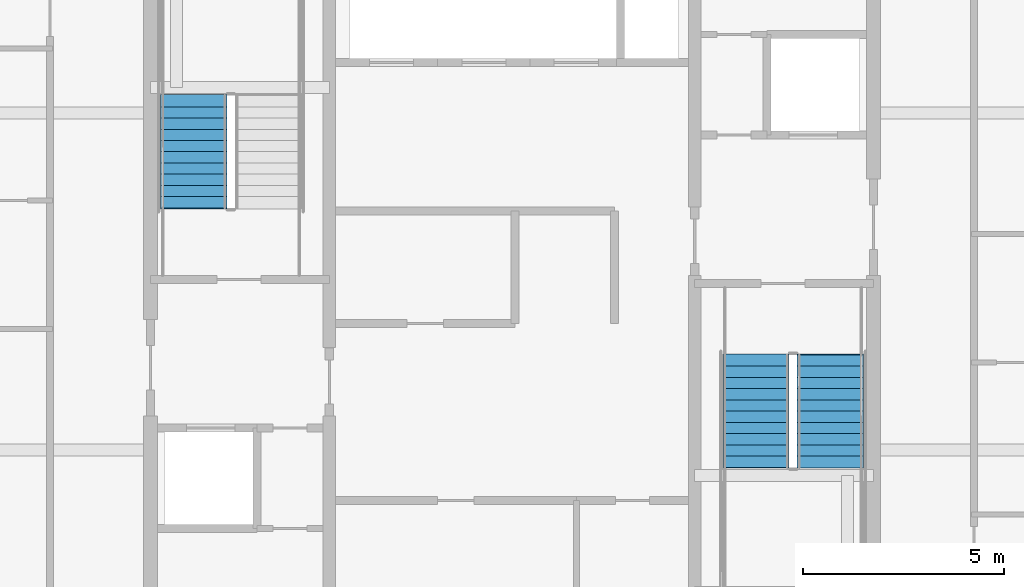
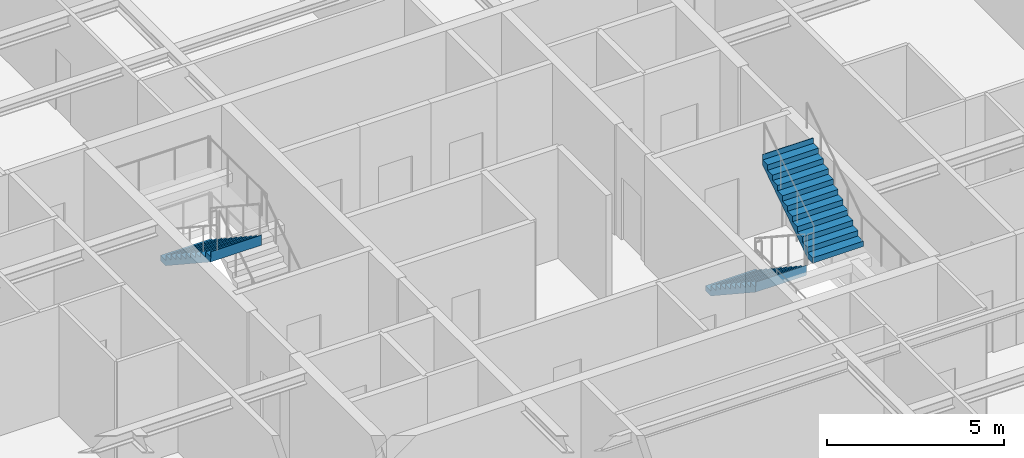
# One storey, part 36 of 42: 3 stair flights, 2 elements without a shape of their own.
"""IFC4 building model written with IfcOpenShell, lengths in metres."""

from ifc_helpers import new_model, si_unit, direction, frame, origin, place, context, subcontext, project, spatial, polygons, material, type_object, element, aggregate, save


model = new_model("IFC4")

# Units and contexts
model_context = context("Model", 3, precision=1e-05, world=origin(), true_north=direction((0.0, 1.0)))
body_context = subcontext(model_context, "Body", "Model", "MODEL_VIEW")
ifc_project = project(units=[si_unit("LENGTHUNIT", "METRE"), si_unit("AREAUNIT", "SQUARE_METRE"), si_unit("VOLUMEUNIT", "CUBIC_METRE"), si_unit("PLANEANGLEUNIT", "RADIAN"), si_unit("MASSUNIT", "GRAM", prefix="KILO")], contexts=[model_context])

# Site, building, storey
site_placement = place(None, origin())
site = spatial("IfcSite", under=ifc_project, at=site_placement, CompositionType="ELEMENT")
building_placement = place(site_placement, origin())
building = spatial("IfcBuilding", under=site, at=building_placement, Name="Serunith Strait Residences", CompositionType="ELEMENT")
storey_placement = place(building_placement, frame((0.0, 0.0, 293.449951171875)))
storey = spatial("IfcBuildingStorey", under=building, at=storey_placement, Name="L73", CompositionType="ELEMENT", Elevation=293.449951171875)

# Stair, stair flight
ifc_material = material(Name="Concrete C50/60", Category="concrete")
stair_type_1 = type_object("IfcStairType", Name="STR-CORE-1", PredefinedType="HALF_TURN_STAIR", material=ifc_material)
stair_1_placement = place(storey_placement, origin())
stair_1 = element("IfcStair", 1, at=stair_1_placement, inside=storey, type_object=stair_type_1, Name="L73 Protected Escape Stair ST-1", PredefinedType="HALF_TURN_STAIR")
stair_flight_type_1 = type_object("IfcStairFlightType", Name="FLT-CORE-1", PredefinedType="STRAIGHT", material=ifc_material)
stair_flight_1_placement = place(storey_placement, frame((24.47509765625, 29.830078125, 2.025146484375), z_axis=(0.0, 0.0, 1.0), x_axis=(0.0, -1.0, 0.0)))
stair_flight_1 = element("IfcStairFlight", 2, at=stair_flight_1_placement, type_object=stair_flight_type_1, Name="ST-1 flight 2", NumberOfRisers=11, NumberOfTreads=10, PredefinedType="STRAIGHT", RiserHeight=0.184090909, TreadLength=0.28, context=body_context, shape_type="Tessellation", body=[
    polygons([(-0.02001953125, -0.824951171875, 0.0), (-0.02001953125, -0.824951171875, 0.18408203125), (0.280029296875, -0.824951171875, 0.18408203125), (0.280029296875, -0.824951171875, 0.3681640625), (0.56005859375, -0.824951171875, 0.3681640625), (0.56005859375, -0.824951171875, 0.55224609375), (0.840087890625, -0.824951171875, 0.55224609375), (0.840087890625, -0.824951171875, 0.736328125), (1.1201171875, -0.824951171875, 0.736328125), (1.1201171875, -0.824951171875, 0.92041015625), (1.39990234375, -0.824951171875, 0.92041015625), (1.39990234375, -0.824951171875, 1.1044921875), (1.679931640625, -0.824951171875, 1.1044921875), (1.679931640625, -0.824951171875, 1.28857421875), (1.9599609375, -0.824951171875, 1.28857421875), (1.9599609375, -0.824951171875, 1.47265625), (2.239990234375, -0.824951171875, 1.47265625), (2.239990234375, -0.824951171875, 1.65673828125), (2.52001953125, -0.824951171875, 1.65673828125), (2.52001953125, -0.824951171875, 1.8408203125), (2.800048828125, -0.824951171875, 1.8408203125), (2.800048828125, -0.824951171875, 2.02490234375), (2.820068359375, -0.824951171875, 2.02490234375), (2.820068359375, -0.824951171875, 1.965087890625), (2.800048828125, -0.824951171875, 1.66162109375), (0.27294921875, -0.824951171875, 0.0), (-0.02001953125, -0.41259765625, 0.0), (-0.02001953125, -0.41259765625, 0.18408203125), (0.280029296875, -0.41259765625, 0.18408203125), (0.280029296875, -0.41259765625, 0.3681640625), (0.56005859375, -0.41259765625, 0.3681640625), (0.56005859375, -0.41259765625, 0.55224609375), (0.840087890625, -0.41259765625, 0.55224609375), (0.840087890625, -0.41259765625, 0.736328125), (1.1201171875, -0.41259765625, 0.736328125), (1.1201171875, -0.41259765625, 0.92041015625), (1.39990234375, -0.41259765625, 0.92041015625), (1.39990234375, -0.41259765625, 1.1044921875), (1.679931640625, -0.41259765625, 1.1044921875), (1.679931640625, -0.41259765625, 1.28857421875), (1.9599609375, -0.41259765625, 1.28857421875), (1.9599609375, -0.41259765625, 1.47265625), (2.239990234375, -0.41259765625, 1.47265625), (2.239990234375, -0.41259765625, 1.65673828125), (2.52001953125, -0.41259765625, 1.65673828125), (2.52001953125, -0.41259765625, 1.8408203125), (2.800048828125, -0.41259765625, 1.8408203125), (2.800048828125, -0.41259765625, 2.02490234375), (2.820068359375, -0.41259765625, 2.02490234375), (2.820068359375, -0.41259765625, 1.965087890625), (2.800048828125, -0.41259765625, 1.66162109375), (0.27294921875, -0.41259765625, 0.0), (-0.02001953125, 0.0, 0.0), (-0.02001953125, 0.0, 0.18408203125), (0.280029296875, 0.0, 0.18408203125), (0.280029296875, 0.0, 0.3681640625), (0.56005859375, 0.0, 0.3681640625), (0.56005859375, 0.0, 0.55224609375), (0.840087890625, 0.0, 0.55224609375), (0.840087890625, 0.0, 0.736328125), (1.1201171875, 0.0, 0.736328125), (1.1201171875, 0.0, 0.92041015625), (1.39990234375, 0.0, 0.92041015625), (1.39990234375, 0.0, 1.1044921875), (1.679931640625, 0.0, 1.1044921875), (1.679931640625, 0.0, 1.28857421875), (1.9599609375, 0.0, 1.28857421875), (1.9599609375, 0.0, 1.47265625), (2.239990234375, 0.0, 1.47265625), (2.239990234375, 0.0, 1.65673828125), (2.52001953125, 0.0, 1.65673828125), (2.52001953125, 0.0, 1.8408203125), (2.800048828125, 0.0, 1.8408203125), (2.800048828125, 0.0, 2.02490234375), (2.820068359375, 0.0, 2.02490234375), (2.820068359375, 0.0, 1.965087890625), (2.800048828125, 0.0, 1.66162109375), (0.27294921875, 0.0, 0.0), (-0.02001953125, 0.41259765625, 0.0), (-0.02001953125, 0.41259765625, 0.18408203125), (0.280029296875, 0.41259765625, 0.18408203125), (0.280029296875, 0.41259765625, 0.3681640625), (0.56005859375, 0.41259765625, 0.3681640625), (0.56005859375, 0.41259765625, 0.55224609375), (0.840087890625, 0.41259765625, 0.55224609375), (0.840087890625, 0.41259765625, 0.736328125), (1.1201171875, 0.41259765625, 0.736328125), (1.1201171875, 0.41259765625, 0.92041015625), (1.39990234375, 0.41259765625, 0.92041015625), (1.39990234375, 0.41259765625, 1.1044921875), (1.679931640625, 0.41259765625, 1.1044921875), (1.679931640625, 0.41259765625, 1.28857421875), (1.9599609375, 0.41259765625, 1.28857421875), (1.9599609375, 0.41259765625, 1.47265625), (2.239990234375, 0.41259765625, 1.47265625), (2.239990234375, 0.41259765625, 1.65673828125), (2.52001953125, 0.41259765625, 1.65673828125), (2.52001953125, 0.41259765625, 1.8408203125), (2.800048828125, 0.41259765625, 1.8408203125), (2.800048828125, 0.41259765625, 2.02490234375), (2.820068359375, 0.41259765625, 2.02490234375), (2.820068359375, 0.41259765625, 1.965087890625), (2.800048828125, 0.41259765625, 1.66162109375), (0.27294921875, 0.41259765625, 0.0), (-0.02001953125, 0.824951171875, 0.0), (-0.02001953125, 0.824951171875, 0.18408203125), (0.280029296875, 0.824951171875, 0.18408203125), (0.280029296875, 0.824951171875, 0.3681640625), (0.56005859375, 0.824951171875, 0.3681640625), (0.56005859375, 0.824951171875, 0.55224609375), (0.840087890625, 0.824951171875, 0.55224609375), (0.840087890625, 0.824951171875, 0.736328125), (1.1201171875, 0.824951171875, 0.736328125), (1.1201171875, 0.824951171875, 0.92041015625), (1.39990234375, 0.824951171875, 0.92041015625), (1.39990234375, 0.824951171875, 1.1044921875), (1.679931640625, 0.824951171875, 1.1044921875), (1.679931640625, 0.824951171875, 1.28857421875), (1.9599609375, 0.824951171875, 1.28857421875), (1.9599609375, 0.824951171875, 1.47265625), (2.239990234375, 0.824951171875, 1.47265625), (2.239990234375, 0.824951171875, 1.65673828125), (2.52001953125, 0.824951171875, 1.65673828125), (2.52001953125, 0.824951171875, 1.8408203125), (2.800048828125, 0.824951171875, 1.8408203125), (2.800048828125, 0.824951171875, 2.02490234375), (2.820068359375, 0.824951171875, 2.02490234375), (2.820068359375, 0.824951171875, 1.965087890625), (2.800048828125, 0.824951171875, 1.66162109375), (0.27294921875, 0.824951171875, 0.0)], [[[1, 2, 28, 27]], [[2, 3, 29, 28]], [[3, 4, 30, 29]], [[4, 5, 31, 30]], [[5, 6, 32, 31]], [[6, 7, 33, 32]], [[7, 8, 34, 33]], [[8, 9, 35, 34]], [[9, 10, 36, 35]], [[10, 11, 37, 36]], [[11, 12, 38, 37]], [[12, 13, 39, 38]], [[13, 14, 40, 39]], [[14, 15, 41, 40]], [[15, 16, 42, 41]], [[16, 17, 43, 42]], [[17, 18, 44, 43]], [[18, 19, 45, 44]], [[19, 20, 46, 45]], [[20, 21, 47, 46]], [[21, 22, 48, 47]], [[22, 23, 49, 48]], [[23, 24, 50, 49]], [[24, 25, 51, 50]], [[25, 26, 52, 51]], [[26, 1, 27, 52]], [[27, 28, 54, 53]], [[28, 29, 55, 54]], [[29, 30, 56, 55]], [[30, 31, 57, 56]], [[31, 32, 58, 57]], [[32, 33, 59, 58]], [[33, 34, 60, 59]], [[34, 35, 61, 60]], [[35, 36, 62, 61]], [[36, 37, 63, 62]], [[37, 38, 64, 63]], [[38, 39, 65, 64]], [[39, 40, 66, 65]], [[40, 41, 67, 66]], [[41, 42, 68, 67]], [[42, 43, 69, 68]], [[43, 44, 70, 69]], [[44, 45, 71, 70]], [[45, 46, 72, 71]], [[46, 47, 73, 72]], [[47, 48, 74, 73]], [[48, 49, 75, 74]], [[49, 50, 76, 75]], [[50, 51, 77, 76]], [[51, 52, 78, 77]], [[52, 27, 53, 78]], [[53, 54, 80, 79]], [[54, 55, 81, 80]], [[55, 56, 82, 81]], [[56, 57, 83, 82]], [[57, 58, 84, 83]], [[58, 59, 85, 84]], [[59, 60, 86, 85]], [[60, 61, 87, 86]], [[61, 62, 88, 87]], [[62, 63, 89, 88]], [[63, 64, 90, 89]], [[64, 65, 91, 90]], [[65, 66, 92, 91]], [[66, 67, 93, 92]], [[67, 68, 94, 93]], [[68, 69, 95, 94]], [[69, 70, 96, 95]], [[70, 71, 97, 96]], [[71, 72, 98, 97]], [[72, 73, 99, 98]], [[73, 74, 100, 99]], [[74, 75, 101, 100]], [[75, 76, 102, 101]], [[76, 77, 103, 102]], [[77, 78, 104, 103]], [[78, 53, 79, 104]], [[79, 80, 106, 105]], [[80, 81, 107, 106]], [[81, 82, 108, 107]], [[82, 83, 109, 108]], [[83, 84, 110, 109]], [[84, 85, 111, 110]], [[85, 86, 112, 111]], [[86, 87, 113, 112]], [[87, 88, 114, 113]], [[88, 89, 115, 114]], [[89, 90, 116, 115]], [[90, 91, 117, 116]], [[91, 92, 118, 117]], [[92, 93, 119, 118]], [[93, 94, 120, 119]], [[94, 95, 121, 120]], [[95, 96, 122, 121]], [[96, 97, 123, 122]], [[97, 98, 124, 123]], [[98, 99, 125, 124]], [[99, 100, 126, 125]], [[100, 101, 127, 126]], [[101, 102, 128, 127]], [[102, 103, 129, 128]], [[103, 104, 130, 129]], [[104, 79, 105, 130]], [[26, 25, 24, 23, 22, 21, 20, 19, 18, 17, 16, 15, 14, 13, 12, 11, 10, 9, 8, 7, 6, 5, 4, 3, 2, 1]], [[105, 106, 107, 108, 109, 110, 111, 112, 113, 114, 115, 116, 117, 118, 119, 120, 121, 122, 123, 124, 125, 126, 127, 128, 129, 130]]], closed=True),
])
aggregate(stair_1, [stair_flight_1])

# Stair, stair flights
stair_type_2 = type_object("IfcStairType", Name="STR-CORE-2", PredefinedType="HALF_TURN_STAIR", material=ifc_material)
stair_2_placement = place(storey_placement, origin())
stair_2 = element("IfcStair", 3, at=stair_2_placement, inside=storey, type_object=stair_type_2, Name="L73 Protected Escape Stair ST-2", PredefinedType="HALF_TURN_STAIR")
stair_flight_type_2 = type_object("IfcStairFlightType", Name="FLT-CORE-2", PredefinedType="STRAIGHT", material=ifc_material)
stair_flight_2_placement = place(storey_placement, frame((38.47509765625, 23.3701171875, 0.0), z_axis=(0.0, 0.0, 1.0), x_axis=(0.0, -1.0, 0.0)))
stair_flight_2 = element("IfcStairFlight", 4, at=stair_flight_2_placement, type_object=stair_flight_type_2, Name="ST-2 flight 1", NumberOfRisers=11, NumberOfTreads=10, PredefinedType="STRAIGHT", RiserHeight=0.184090909, TreadLength=0.28, context=body_context, shape_type="Tessellation", body=[
    polygons([(-0.02001953125, -0.824951171875, 0.0), (-0.02001953125, -0.824951171875, 0.18408203125), (0.280029296875, -0.824951171875, 0.18408203125), (0.280029296875, -0.824951171875, 0.3681640625), (0.56005859375, -0.824951171875, 0.3681640625), (0.56005859375, -0.824951171875, 0.55224609375), (0.840087890625, -0.824951171875, 0.55224609375), (0.840087890625, -0.824951171875, 0.736328125), (1.1201171875, -0.824951171875, 0.736328125), (1.1201171875, -0.824951171875, 0.92041015625), (1.39990234375, -0.824951171875, 0.92041015625), (1.39990234375, -0.824951171875, 1.1044921875), (1.679931640625, -0.824951171875, 1.1044921875), (1.679931640625, -0.824951171875, 1.28857421875), (1.9599609375, -0.824951171875, 1.28857421875), (1.9599609375, -0.824951171875, 1.47265625), (2.239990234375, -0.824951171875, 1.47265625), (2.239990234375, -0.824951171875, 1.65673828125), (2.52001953125, -0.824951171875, 1.65673828125), (2.52001953125, -0.824951171875, 1.8408203125), (2.800048828125, -0.824951171875, 1.8408203125), (2.800048828125, -0.824951171875, 2.02490234375), (2.820068359375, -0.824951171875, 2.02490234375), (2.820068359375, -0.824951171875, 1.965087890625), (2.800048828125, -0.824951171875, 1.66162109375), (0.27294921875, -0.824951171875, 0.0), (-0.02001953125, -0.41259765625, 0.0), (-0.02001953125, -0.41259765625, 0.18408203125), (0.280029296875, -0.41259765625, 0.18408203125), (0.280029296875, -0.41259765625, 0.3681640625), (0.56005859375, -0.41259765625, 0.3681640625), (0.56005859375, -0.41259765625, 0.55224609375), (0.840087890625, -0.41259765625, 0.55224609375), (0.840087890625, -0.41259765625, 0.736328125), (1.1201171875, -0.41259765625, 0.736328125), (1.1201171875, -0.41259765625, 0.92041015625), (1.39990234375, -0.41259765625, 0.92041015625), (1.39990234375, -0.41259765625, 1.1044921875), (1.679931640625, -0.41259765625, 1.1044921875), (1.679931640625, -0.41259765625, 1.28857421875), (1.9599609375, -0.41259765625, 1.28857421875), (1.9599609375, -0.41259765625, 1.47265625), (2.239990234375, -0.41259765625, 1.47265625), (2.239990234375, -0.41259765625, 1.65673828125), (2.52001953125, -0.41259765625, 1.65673828125), (2.52001953125, -0.41259765625, 1.8408203125), (2.800048828125, -0.41259765625, 1.8408203125), (2.800048828125, -0.41259765625, 2.02490234375), (2.820068359375, -0.41259765625, 2.02490234375), (2.820068359375, -0.41259765625, 1.965087890625), (2.800048828125, -0.41259765625, 1.66162109375), (0.27294921875, -0.41259765625, 0.0), (-0.02001953125, 0.0, 0.0), (-0.02001953125, 0.0, 0.18408203125), (0.280029296875, 0.0, 0.18408203125), (0.280029296875, 0.0, 0.3681640625), (0.56005859375, 0.0, 0.3681640625), (0.56005859375, 0.0, 0.55224609375), (0.840087890625, 0.0, 0.55224609375), (0.840087890625, 0.0, 0.736328125), (1.1201171875, 0.0, 0.736328125), (1.1201171875, 0.0, 0.92041015625), (1.39990234375, 0.0, 0.92041015625), (1.39990234375, 0.0, 1.1044921875), (1.679931640625, 0.0, 1.1044921875), (1.679931640625, 0.0, 1.28857421875), (1.9599609375, 0.0, 1.28857421875), (1.9599609375, 0.0, 1.47265625), (2.239990234375, 0.0, 1.47265625), (2.239990234375, 0.0, 1.65673828125), (2.52001953125, 0.0, 1.65673828125), (2.52001953125, 0.0, 1.8408203125), (2.800048828125, 0.0, 1.8408203125), (2.800048828125, 0.0, 2.02490234375), (2.820068359375, 0.0, 2.02490234375), (2.820068359375, 0.0, 1.965087890625), (2.800048828125, 0.0, 1.66162109375), (0.27294921875, 0.0, 0.0), (-0.02001953125, 0.41259765625, 0.0), (-0.02001953125, 0.41259765625, 0.18408203125), (0.280029296875, 0.41259765625, 0.18408203125), (0.280029296875, 0.41259765625, 0.3681640625), (0.56005859375, 0.41259765625, 0.3681640625), (0.56005859375, 0.41259765625, 0.55224609375), (0.840087890625, 0.41259765625, 0.55224609375), (0.840087890625, 0.41259765625, 0.736328125), (1.1201171875, 0.41259765625, 0.736328125), (1.1201171875, 0.41259765625, 0.92041015625), (1.39990234375, 0.41259765625, 0.92041015625), (1.39990234375, 0.41259765625, 1.1044921875), (1.679931640625, 0.41259765625, 1.1044921875), (1.679931640625, 0.41259765625, 1.28857421875), (1.9599609375, 0.41259765625, 1.28857421875), (1.9599609375, 0.41259765625, 1.47265625), (2.239990234375, 0.41259765625, 1.47265625), (2.239990234375, 0.41259765625, 1.65673828125), (2.52001953125, 0.41259765625, 1.65673828125), (2.52001953125, 0.41259765625, 1.8408203125), (2.800048828125, 0.41259765625, 1.8408203125), (2.800048828125, 0.41259765625, 2.02490234375), (2.820068359375, 0.41259765625, 2.02490234375), (2.820068359375, 0.41259765625, 1.965087890625), (2.800048828125, 0.41259765625, 1.66162109375), (0.27294921875, 0.41259765625, 0.0), (-0.02001953125, 0.824951171875, 0.0), (-0.02001953125, 0.824951171875, 0.18408203125), (0.280029296875, 0.824951171875, 0.18408203125), (0.280029296875, 0.824951171875, 0.3681640625), (0.56005859375, 0.824951171875, 0.3681640625), (0.56005859375, 0.824951171875, 0.55224609375), (0.840087890625, 0.824951171875, 0.55224609375), (0.840087890625, 0.824951171875, 0.736328125), (1.1201171875, 0.824951171875, 0.736328125), (1.1201171875, 0.824951171875, 0.92041015625), (1.39990234375, 0.824951171875, 0.92041015625), (1.39990234375, 0.824951171875, 1.1044921875), (1.679931640625, 0.824951171875, 1.1044921875), (1.679931640625, 0.824951171875, 1.28857421875), (1.9599609375, 0.824951171875, 1.28857421875), (1.9599609375, 0.824951171875, 1.47265625), (2.239990234375, 0.824951171875, 1.47265625), (2.239990234375, 0.824951171875, 1.65673828125), (2.52001953125, 0.824951171875, 1.65673828125), (2.52001953125, 0.824951171875, 1.8408203125), (2.800048828125, 0.824951171875, 1.8408203125), (2.800048828125, 0.824951171875, 2.02490234375), (2.820068359375, 0.824951171875, 2.02490234375), (2.820068359375, 0.824951171875, 1.965087890625), (2.800048828125, 0.824951171875, 1.66162109375), (0.27294921875, 0.824951171875, 0.0)], [[[1, 2, 28, 27]], [[2, 3, 29, 28]], [[3, 4, 30, 29]], [[4, 5, 31, 30]], [[5, 6, 32, 31]], [[6, 7, 33, 32]], [[7, 8, 34, 33]], [[8, 9, 35, 34]], [[9, 10, 36, 35]], [[10, 11, 37, 36]], [[11, 12, 38, 37]], [[12, 13, 39, 38]], [[13, 14, 40, 39]], [[14, 15, 41, 40]], [[15, 16, 42, 41]], [[16, 17, 43, 42]], [[17, 18, 44, 43]], [[18, 19, 45, 44]], [[19, 20, 46, 45]], [[20, 21, 47, 46]], [[21, 22, 48, 47]], [[22, 23, 49, 48]], [[23, 24, 50, 49]], [[24, 25, 51, 50]], [[25, 26, 52, 51]], [[26, 1, 27, 52]], [[27, 28, 54, 53]], [[28, 29, 55, 54]], [[29, 30, 56, 55]], [[30, 31, 57, 56]], [[31, 32, 58, 57]], [[32, 33, 59, 58]], [[33, 34, 60, 59]], [[34, 35, 61, 60]], [[35, 36, 62, 61]], [[36, 37, 63, 62]], [[37, 38, 64, 63]], [[38, 39, 65, 64]], [[39, 40, 66, 65]], [[40, 41, 67, 66]], [[41, 42, 68, 67]], [[42, 43, 69, 68]], [[43, 44, 70, 69]], [[44, 45, 71, 70]], [[45, 46, 72, 71]], [[46, 47, 73, 72]], [[47, 48, 74, 73]], [[48, 49, 75, 74]], [[49, 50, 76, 75]], [[50, 51, 77, 76]], [[51, 52, 78, 77]], [[52, 27, 53, 78]], [[53, 54, 80, 79]], [[54, 55, 81, 80]], [[55, 56, 82, 81]], [[56, 57, 83, 82]], [[57, 58, 84, 83]], [[58, 59, 85, 84]], [[59, 60, 86, 85]], [[60, 61, 87, 86]], [[61, 62, 88, 87]], [[62, 63, 89, 88]], [[63, 64, 90, 89]], [[64, 65, 91, 90]], [[65, 66, 92, 91]], [[66, 67, 93, 92]], [[67, 68, 94, 93]], [[68, 69, 95, 94]], [[69, 70, 96, 95]], [[70, 71, 97, 96]], [[71, 72, 98, 97]], [[72, 73, 99, 98]], [[73, 74, 100, 99]], [[74, 75, 101, 100]], [[75, 76, 102, 101]], [[76, 77, 103, 102]], [[77, 78, 104, 103]], [[78, 53, 79, 104]], [[79, 80, 106, 105]], [[80, 81, 107, 106]], [[81, 82, 108, 107]], [[82, 83, 109, 108]], [[83, 84, 110, 109]], [[84, 85, 111, 110]], [[85, 86, 112, 111]], [[86, 87, 113, 112]], [[87, 88, 114, 113]], [[88, 89, 115, 114]], [[89, 90, 116, 115]], [[90, 91, 117, 116]], [[91, 92, 118, 117]], [[92, 93, 119, 118]], [[93, 94, 120, 119]], [[94, 95, 121, 120]], [[95, 96, 122, 121]], [[96, 97, 123, 122]], [[97, 98, 124, 123]], [[98, 99, 125, 124]], [[99, 100, 126, 125]], [[100, 101, 127, 126]], [[101, 102, 128, 127]], [[102, 103, 129, 128]], [[103, 104, 130, 129]], [[104, 79, 105, 130]], [[26, 25, 24, 23, 22, 21, 20, 19, 18, 17, 16, 15, 14, 13, 12, 11, 10, 9, 8, 7, 6, 5, 4, 3, 2, 1]], [[105, 106, 107, 108, 109, 110, 111, 112, 113, 114, 115, 116, 117, 118, 119, 120, 121, 122, 123, 124, 125, 126, 127, 128, 129, 130]]], closed=True),
])
stair_flight_3_placement = place(storey_placement, frame((40.324951171875, 20.570068359375, 2.025146484375), z_axis=(0.0, 0.0, 1.0), x_axis=(0.0, 1.0, 0.0)))
stair_flight_3 = element("IfcStairFlight", 5, at=stair_flight_3_placement, type_object=stair_flight_type_2, Name="ST-2 flight 2", NumberOfRisers=11, NumberOfTreads=10, PredefinedType="STRAIGHT", RiserHeight=0.184090909, TreadLength=0.28, context=body_context, shape_type="Tessellation", body=[
    polygons([(-0.02001953125, -0.824951171875, 0.0), (-0.02001953125, -0.824951171875, 0.18408203125), (0.280029296875, -0.824951171875, 0.18408203125), (0.280029296875, -0.824951171875, 0.3681640625), (0.56005859375, -0.824951171875, 0.3681640625), (0.56005859375, -0.824951171875, 0.55224609375), (0.840087890625, -0.824951171875, 0.55224609375), (0.840087890625, -0.824951171875, 0.736328125), (1.1201171875, -0.824951171875, 0.736328125), (1.1201171875, -0.824951171875, 0.92041015625), (1.39990234375, -0.824951171875, 0.92041015625), (1.39990234375, -0.824951171875, 1.1044921875), (1.679931640625, -0.824951171875, 1.1044921875), (1.679931640625, -0.824951171875, 1.28857421875), (1.9599609375, -0.824951171875, 1.28857421875), (1.9599609375, -0.824951171875, 1.47265625), (2.239990234375, -0.824951171875, 1.47265625), (2.239990234375, -0.824951171875, 1.65673828125), (2.52001953125, -0.824951171875, 1.65673828125), (2.52001953125, -0.824951171875, 1.8408203125), (2.800048828125, -0.824951171875, 1.8408203125), (2.800048828125, -0.824951171875, 2.02490234375), (2.820068359375, -0.824951171875, 2.02490234375), (2.820068359375, -0.824951171875, 1.965087890625), (2.800048828125, -0.824951171875, 1.66162109375), (0.27294921875, -0.824951171875, 0.0), (-0.02001953125, -0.41259765625, 0.0), (-0.02001953125, -0.41259765625, 0.18408203125), (0.280029296875, -0.41259765625, 0.18408203125), (0.280029296875, -0.41259765625, 0.3681640625), (0.56005859375, -0.41259765625, 0.3681640625), (0.56005859375, -0.41259765625, 0.55224609375), (0.840087890625, -0.41259765625, 0.55224609375), (0.840087890625, -0.41259765625, 0.736328125), (1.1201171875, -0.41259765625, 0.736328125), (1.1201171875, -0.41259765625, 0.92041015625), (1.39990234375, -0.41259765625, 0.92041015625), (1.39990234375, -0.41259765625, 1.1044921875), (1.679931640625, -0.41259765625, 1.1044921875), (1.679931640625, -0.41259765625, 1.28857421875), (1.9599609375, -0.41259765625, 1.28857421875), (1.9599609375, -0.41259765625, 1.47265625), (2.239990234375, -0.41259765625, 1.47265625), (2.239990234375, -0.41259765625, 1.65673828125), (2.52001953125, -0.41259765625, 1.65673828125), (2.52001953125, -0.41259765625, 1.8408203125), (2.800048828125, -0.41259765625, 1.8408203125), (2.800048828125, -0.41259765625, 2.02490234375), (2.820068359375, -0.41259765625, 2.02490234375), (2.820068359375, -0.41259765625, 1.965087890625), (2.800048828125, -0.41259765625, 1.66162109375), (0.27294921875, -0.41259765625, 0.0), (-0.02001953125, 0.0, 0.0), (-0.02001953125, 0.0, 0.18408203125), (0.280029296875, 0.0, 0.18408203125), (0.280029296875, 0.0, 0.3681640625), (0.56005859375, 0.0, 0.3681640625), (0.56005859375, 0.0, 0.55224609375), (0.840087890625, 0.0, 0.55224609375), (0.840087890625, 0.0, 0.736328125), (1.1201171875, 0.0, 0.736328125), (1.1201171875, 0.0, 0.92041015625), (1.39990234375, 0.0, 0.92041015625), (1.39990234375, 0.0, 1.1044921875), (1.679931640625, 0.0, 1.1044921875), (1.679931640625, 0.0, 1.28857421875), (1.9599609375, 0.0, 1.28857421875), (1.9599609375, 0.0, 1.47265625), (2.239990234375, 0.0, 1.47265625), (2.239990234375, 0.0, 1.65673828125), (2.52001953125, 0.0, 1.65673828125), (2.52001953125, 0.0, 1.8408203125), (2.800048828125, 0.0, 1.8408203125), (2.800048828125, 0.0, 2.02490234375), (2.820068359375, 0.0, 2.02490234375), (2.820068359375, 0.0, 1.965087890625), (2.800048828125, 0.0, 1.66162109375), (0.27294921875, 0.0, 0.0), (-0.02001953125, 0.41259765625, 0.0), (-0.02001953125, 0.41259765625, 0.18408203125), (0.280029296875, 0.41259765625, 0.18408203125), (0.280029296875, 0.41259765625, 0.3681640625), (0.56005859375, 0.41259765625, 0.3681640625), (0.56005859375, 0.41259765625, 0.55224609375), (0.840087890625, 0.41259765625, 0.55224609375), (0.840087890625, 0.41259765625, 0.736328125), (1.1201171875, 0.41259765625, 0.736328125), (1.1201171875, 0.41259765625, 0.92041015625), (1.39990234375, 0.41259765625, 0.92041015625), (1.39990234375, 0.41259765625, 1.1044921875), (1.679931640625, 0.41259765625, 1.1044921875), (1.679931640625, 0.41259765625, 1.28857421875), (1.9599609375, 0.41259765625, 1.28857421875), (1.9599609375, 0.41259765625, 1.47265625), (2.239990234375, 0.41259765625, 1.47265625), (2.239990234375, 0.41259765625, 1.65673828125), (2.52001953125, 0.41259765625, 1.65673828125), (2.52001953125, 0.41259765625, 1.8408203125), (2.800048828125, 0.41259765625, 1.8408203125), (2.800048828125, 0.41259765625, 2.02490234375), (2.820068359375, 0.41259765625, 2.02490234375), (2.820068359375, 0.41259765625, 1.965087890625), (2.800048828125, 0.41259765625, 1.66162109375), (0.27294921875, 0.41259765625, 0.0), (-0.02001953125, 0.824951171875, 0.0), (-0.02001953125, 0.824951171875, 0.18408203125), (0.280029296875, 0.824951171875, 0.18408203125), (0.280029296875, 0.824951171875, 0.3681640625), (0.56005859375, 0.824951171875, 0.3681640625), (0.56005859375, 0.824951171875, 0.55224609375), (0.840087890625, 0.824951171875, 0.55224609375), (0.840087890625, 0.824951171875, 0.736328125), (1.1201171875, 0.824951171875, 0.736328125), (1.1201171875, 0.824951171875, 0.92041015625), (1.39990234375, 0.824951171875, 0.92041015625), (1.39990234375, 0.824951171875, 1.1044921875), (1.679931640625, 0.824951171875, 1.1044921875), (1.679931640625, 0.824951171875, 1.28857421875), (1.9599609375, 0.824951171875, 1.28857421875), (1.9599609375, 0.824951171875, 1.47265625), (2.239990234375, 0.824951171875, 1.47265625), (2.239990234375, 0.824951171875, 1.65673828125), (2.52001953125, 0.824951171875, 1.65673828125), (2.52001953125, 0.824951171875, 1.8408203125), (2.800048828125, 0.824951171875, 1.8408203125), (2.800048828125, 0.824951171875, 2.02490234375), (2.820068359375, 0.824951171875, 2.02490234375), (2.820068359375, 0.824951171875, 1.965087890625), (2.800048828125, 0.824951171875, 1.66162109375), (0.27294921875, 0.824951171875, 0.0)], [[[1, 2, 28, 27]], [[2, 3, 29, 28]], [[3, 4, 30, 29]], [[4, 5, 31, 30]], [[5, 6, 32, 31]], [[6, 7, 33, 32]], [[7, 8, 34, 33]], [[8, 9, 35, 34]], [[9, 10, 36, 35]], [[10, 11, 37, 36]], [[11, 12, 38, 37]], [[12, 13, 39, 38]], [[13, 14, 40, 39]], [[14, 15, 41, 40]], [[15, 16, 42, 41]], [[16, 17, 43, 42]], [[17, 18, 44, 43]], [[18, 19, 45, 44]], [[19, 20, 46, 45]], [[20, 21, 47, 46]], [[21, 22, 48, 47]], [[22, 23, 49, 48]], [[23, 24, 50, 49]], [[24, 25, 51, 50]], [[25, 26, 52, 51]], [[26, 1, 27, 52]], [[27, 28, 54, 53]], [[28, 29, 55, 54]], [[29, 30, 56, 55]], [[30, 31, 57, 56]], [[31, 32, 58, 57]], [[32, 33, 59, 58]], [[33, 34, 60, 59]], [[34, 35, 61, 60]], [[35, 36, 62, 61]], [[36, 37, 63, 62]], [[37, 38, 64, 63]], [[38, 39, 65, 64]], [[39, 40, 66, 65]], [[40, 41, 67, 66]], [[41, 42, 68, 67]], [[42, 43, 69, 68]], [[43, 44, 70, 69]], [[44, 45, 71, 70]], [[45, 46, 72, 71]], [[46, 47, 73, 72]], [[47, 48, 74, 73]], [[48, 49, 75, 74]], [[49, 50, 76, 75]], [[50, 51, 77, 76]], [[51, 52, 78, 77]], [[52, 27, 53, 78]], [[53, 54, 80, 79]], [[54, 55, 81, 80]], [[55, 56, 82, 81]], [[56, 57, 83, 82]], [[57, 58, 84, 83]], [[58, 59, 85, 84]], [[59, 60, 86, 85]], [[60, 61, 87, 86]], [[61, 62, 88, 87]], [[62, 63, 89, 88]], [[63, 64, 90, 89]], [[64, 65, 91, 90]], [[65, 66, 92, 91]], [[66, 67, 93, 92]], [[67, 68, 94, 93]], [[68, 69, 95, 94]], [[69, 70, 96, 95]], [[70, 71, 97, 96]], [[71, 72, 98, 97]], [[72, 73, 99, 98]], [[73, 74, 100, 99]], [[74, 75, 101, 100]], [[75, 76, 102, 101]], [[76, 77, 103, 102]], [[77, 78, 104, 103]], [[78, 53, 79, 104]], [[79, 80, 106, 105]], [[80, 81, 107, 106]], [[81, 82, 108, 107]], [[82, 83, 109, 108]], [[83, 84, 110, 109]], [[84, 85, 111, 110]], [[85, 86, 112, 111]], [[86, 87, 113, 112]], [[87, 88, 114, 113]], [[88, 89, 115, 114]], [[89, 90, 116, 115]], [[90, 91, 117, 116]], [[91, 92, 118, 117]], [[92, 93, 119, 118]], [[93, 94, 120, 119]], [[94, 95, 121, 120]], [[95, 96, 122, 121]], [[96, 97, 123, 122]], [[97, 98, 124, 123]], [[98, 99, 125, 124]], [[99, 100, 126, 125]], [[100, 101, 127, 126]], [[101, 102, 128, 127]], [[102, 103, 129, 128]], [[103, 104, 130, 129]], [[104, 79, 105, 130]], [[26, 25, 24, 23, 22, 21, 20, 19, 18, 17, 16, 15, 14, 13, 12, 11, 10, 9, 8, 7, 6, 5, 4, 3, 2, 1]], [[105, 106, 107, 108, 109, 110, 111, 112, 113, 114, 115, 116, 117, 118, 119, 120, 121, 122, 123, 124, 125, 126, 127, 128, 129, 130]]], closed=True),
])
aggregate(stair_2, [stair_flight_2, stair_flight_3])

save(model, "model.ifc")
